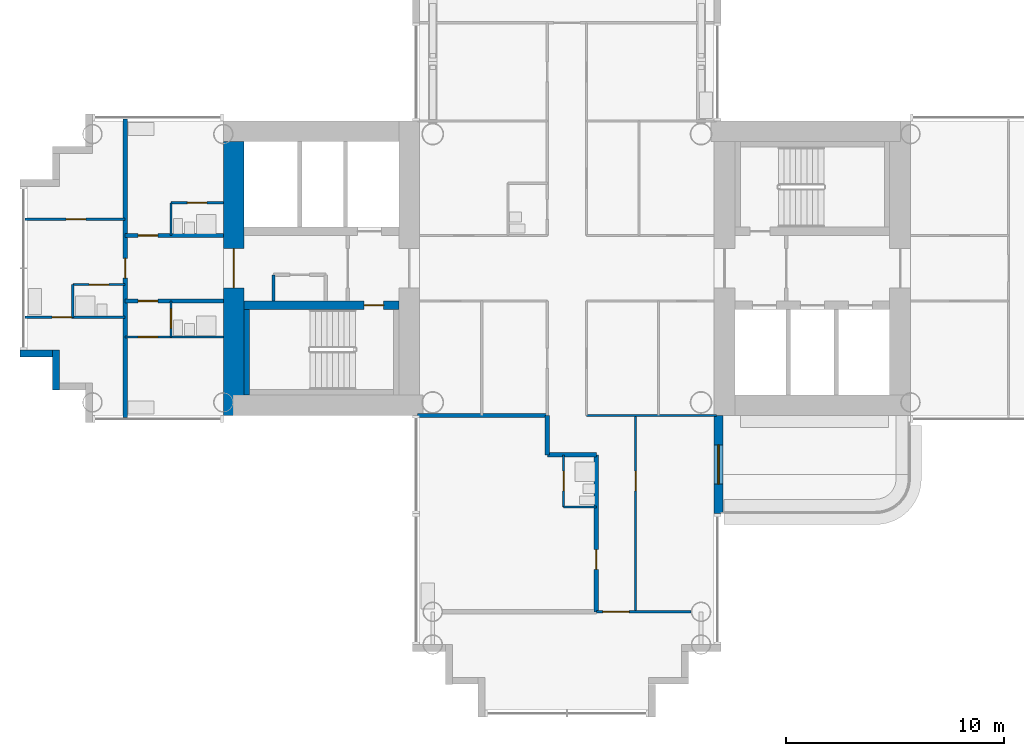
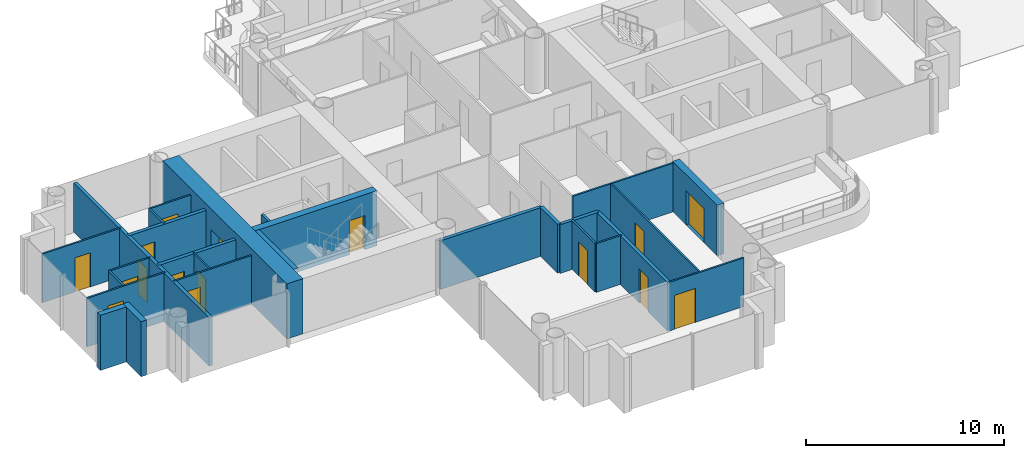
# One storey, part 10 of 22: 27 walls, 16 doors, 16 openings.
"""IFC4 building model written with IfcOpenShell, lengths in metres."""

from ifc_helpers import new_model, si_unit, direction, frame, frame_2d, origin, place, context, subcontext, project, spatial, rectangle, extrude, material, layer, layer_set, type_object, element, fill, save


model = new_model("IFC4")

# Units and contexts
model_context = context("Model", 3, precision=1e-05, world=origin(), true_north=direction((0.0, 1.0)))
body_context = subcontext(model_context, "Body", "Model", "MODEL_VIEW")
ifc_project = project(units=[si_unit("LENGTHUNIT", "METRE"), si_unit("AREAUNIT", "SQUARE_METRE"), si_unit("VOLUMEUNIT", "CUBIC_METRE"), si_unit("PLANEANGLEUNIT", "RADIAN"), si_unit("MASSUNIT", "GRAM", prefix="KILO")], contexts=[model_context])

# Site, building, storey
site_placement = place(None, origin())
site = spatial("IfcSite", under=ifc_project, at=site_placement, CompositionType="ELEMENT")
building_placement = place(site_placement, origin())
building = spatial("IfcBuilding", under=site, at=building_placement, Name="Ipe Terrace Towers", CompositionType="ELEMENT")
storey_placement = place(building_placement, frame((0.0, 0.0, 76.60009765625)))
storey = spatial("IfcBuildingStorey", under=building, at=storey_placement, Name="L20", CompositionType="ELEMENT", Elevation=76.60009765625)

# Wall, opening, door
ifc_material_1 = material(Name="Concrete C40/50 with buff precast cladding", Category="concrete")
ifc_layer_1 = layer(ifc_material_1, 0.39990234375)
ifc_layer_set_1 = layer_set([ifc_layer_1], Name="BALCONY BAY WALL 400")
wall_type_1 = type_object("IfcWallType", Name="BALCONY BAY WALL 400", PredefinedType="STANDARD", material=ifc_layer_set_1)
wall_1_placement = place(storey_placement, frame((-29.050048828125, -11.25, -0.02001953125), z_axis=(0.0, 0.0, 1.0), x_axis=(0.0, 1.0, 0.0)))
wall_1 = element("IfcWall", 1, at=wall_1_placement, inside=storey, type_object=wall_type_1, Name="T1-W-L20-18a wall", PredefinedType="STANDARD", context=body_context, shape_type="SweptSolid", body=[
    extrude(rectangle(XDim=4.5, YDim=0.39990234375, at=frame_2d((2.25, 0.0))), origin(), (0.0, 0.0, 1.0), 3.119873046875),
])
opening_1_placement = place(wall_1_placement, frame((1.35009765625, 0.0, 0.02001953125)))
opening_1 = element("IfcOpeningElement", 2, at=opening_1_placement, cuts=wall_1, Name="Opening T1-D-L20-18", PredefinedType="OPENING", context=body_context, shape_type="SweptSolid", body=[
    extrude(rectangle(XDim=1.800048828125, YDim=2.10009765625, at=frame_2d((0.89990234375, 1.050048828125))), frame((0.0, 0.2099609375, 0.0), z_axis=(0.0, -1.0, 0.0), x_axis=(1.0, 0.0, 0.0)), (0.0, 0.0, 1.0), 0.419921875),
])
ifc_material_2 = material(Name="Aluminium alloy 6063-T6 framed glazed door", Category="aluminium")
door_type_1 = type_object("IfcDoorType", Name="BALCONY DOOR 1800 x 2100 LEFT", OperationType="SINGLE_SWING_LEFT", PredefinedType="DOOR", material=ifc_material_2)
door_1_placement = place(opening_1_placement, origin())
door_1 = element("IfcDoor", 3, at=door_1_placement, inside=storey, type_object=door_type_1, Name="DB1 door", OperationType="SINGLE_SWING_LEFT", OverallHeight=2.10009765625, OverallWidth=1.800048828125, PredefinedType="DOOR", context=body_context, shape_type="SweptSolid", body=[
    extrude(rectangle(XDim=1.800048828125, YDim=2.10009765625, at=frame_2d((0.89990234375, 1.050048828125))), frame((0.0, 0.02490234375, 0.0), z_axis=(0.0, -1.0, 0.0), x_axis=(1.0, 0.0, 0.0)), (0.0, 0.0, 1.0), 0.050048828125),
])
fill(opening_1, door_1)

# Walls
ifc_material_3 = material(Name="Concrete C40/50 with buff precast cladding", Category="concrete")
ifc_layer_2 = layer(ifc_material_3, 0.320068359375)
ifc_layer_set_2 = layer_set([ifc_layer_2], Name="BUFF CLADDING WALL 320")
wall_type_2 = type_object("IfcWallType", Name="BUFF CLADDING WALL 320", PredefinedType="STANDARD", material=ifc_layer_set_2)
wall_2_placement = place(storey_placement, frame((-61.070068359375, -3.909912109375, -0.300048828125), z_axis=(0.0, 0.0, 1.0), x_axis=(1.0, 0.0, 0.0)))
element("IfcWall", 4, at=wall_2_placement, inside=storey, type_object=wall_type_2, Name="T1-W-L20-00a wall", PredefinedType="STANDARD", context=body_context, shape_type="SweptSolid", body=[
    extrude(rectangle(XDim=1.5, YDim=0.320068359375, at=frame_2d((0.75, 0.0))), origin(), (0.0, 0.0, 1.0), 3.39990234375),
])
wall_3_placement = place(storey_placement, frame((-59.409912109375, -3.75, -0.300048828125), z_axis=(0.0, 0.0, 1.0), x_axis=(0.0, -1.0, 0.0)))
element("IfcWall", 5, at=wall_3_placement, inside=storey, type_object=wall_type_2, Name="T1-W-L20-01a wall", PredefinedType="STANDARD", context=body_context, shape_type="SweptSolid", body=[
    extrude(rectangle(XDim=1.820068359375, YDim=0.320068359375, at=frame_2d((0.91015625, 0.0))), origin(), (0.0, 0.0, 1.0), 3.39990234375),
])
ifc_material_4 = material(Name="Gypsum board partition", Category="plasterboard")
ifc_layer_3 = layer(ifc_material_4, 0.10009765625)
ifc_layer_set_3 = layer_set([ifc_layer_3], Name="Gypsum board partition 100 mm")
wall_type_3 = type_object("IfcWallType", Name="Gypsum board partition 100 mm", PredefinedType="PARTITIONING", material=ifc_layer_set_3)
wall_4_placement = place(storey_placement, frame((-58.64990234375, -2.25, 0.0), z_axis=(0.0, 0.0, 1.0), x_axis=(0.0, 1.0, 0.0)))
element("IfcWall", 6, at=wall_4_placement, inside=storey, type_object=wall_type_3, Name="Gypsum board partition T1 L20 W01", PredefinedType="PARTITIONING", context=body_context, shape_type="SweptSolid", body=[
    extrude(rectangle(XDim=1.5, YDim=0.10009765625, at=frame_2d((0.75, 0.0))), origin(), (0.0, 0.0, 1.0), 3.0),
])

# Wall, opening, door
wall_5_placement = place(storey_placement, frame((-54.14990234375, -3.14990234375, 0.0), z_axis=(0.0, 0.0, 1.0), x_axis=(0.0, 1.0, 0.0)))
wall_5 = element("IfcWall", 7, at=wall_5_placement, inside=storey, type_object=wall_type_3, Name="Gypsum board partition T1 L20 W03", PredefinedType="PARTITIONING", context=body_context, shape_type="SweptSolid", body=[
    extrude(rectangle(XDim=1.64990234375, YDim=0.10009765625, at=frame_2d((0.824951171875, 0.0))), origin(), (0.0, 0.0, 1.0), 3.0),
])
opening_2_placement = place(wall_5_placement, frame((0.39990234375, 0.0, 0.0)))
opening_2 = element("IfcOpeningElement", 8, at=opening_2_placement, cuts=wall_5, Name="Opening T1-Z2B-21", PredefinedType="OPENING", context=body_context, shape_type="SweptSolid", body=[
    extrude(rectangle(XDim=0.89990234375, YDim=2.10009765625, at=frame_2d((0.449951171875, 1.050048828125))), frame((0.0, 0.06005859375, 0.0), z_axis=(0.0, -1.0, 0.0), x_axis=(1.0, 0.0, 0.0)), (0.0, 0.0, 1.0), 0.1201171875),
])
ifc_material_5 = material(Name="Timber door leaf", Category="wood")
door_type_2 = type_object("IfcDoorType", Name="Bathroom door 900 x 2100", OperationType="NOTDEFINED", PredefinedType="DOOR", material=ifc_material_5)
door_2_placement = place(opening_2_placement, origin())
door_2 = element("IfcDoor", 9, at=door_2_placement, inside=storey, type_object=door_type_2, Name="Bathroom door T1-Z2B-21", OperationType="SINGLE_SWING_RIGHT", OverallHeight=2.10009765625, OverallWidth=0.89990234375, PredefinedType="DOOR", context=body_context, shape_type="SweptSolid", body=[
    extrude(rectangle(XDim=0.89990234375, YDim=2.10009765625, at=frame_2d((0.449951171875, 1.050048828125))), frame((0.0, 0.02490234375, 0.0), z_axis=(0.0, -1.0, 0.0), x_axis=(1.0, 0.0, 0.0)), (0.0, 0.0, 1.0), 0.050048828125),
])
fill(opening_2, door_2)

# Wall
wall_6_placement = place(storey_placement, frame((-54.14990234375, 1.5, 0.0), z_axis=(0.0, 0.0, 1.0), x_axis=(0.0, 1.0, 0.0)))
element("IfcWall", 10, at=wall_6_placement, inside=storey, type_object=wall_type_3, Name="Gypsum board partition T1 L20 W04", PredefinedType="PARTITIONING", context=body_context, shape_type="SweptSolid", body=[
    extrude(rectangle(XDim=1.5, YDim=0.10009765625, at=frame_2d((0.75, 0.0))), origin(), (0.0, 0.0, 1.0), 3.0),
])

# Wall, opening, door
wall_7_placement = place(storey_placement, frame((-36.14990234375, -10.949951171875, 0.0), z_axis=(0.0, 0.0, 1.0), x_axis=(0.0, 1.0, 0.0)))
wall_7 = element("IfcWall", 11, at=wall_7_placement, inside=storey, type_object=wall_type_3, Name="Gypsum board partition T1 L20 W10", PredefinedType="PARTITIONING", context=body_context, shape_type="SweptSolid", body=[
    extrude(rectangle(XDim=2.39990234375, YDim=0.10009765625, at=frame_2d((1.199951171875, 0.0))), origin(), (0.0, 0.0, 1.0), 3.0),
])
opening_3_placement = place(wall_7_placement, frame((0.75, 0.0, 0.0)))
opening_3 = element("IfcOpeningElement", 12, at=opening_3_placement, cuts=wall_7, Name="Opening T1-Z2B-14", PredefinedType="OPENING", context=body_context, shape_type="SweptSolid", body=[
    extrude(rectangle(XDim=0.89990234375, YDim=2.10009765625, at=frame_2d((0.449951171875, 1.050048828125))), frame((0.0, 0.06005859375, 0.0), z_axis=(0.0, -1.0, 0.0), x_axis=(1.0, 0.0, 0.0)), (0.0, 0.0, 1.0), 0.1201171875),
])
door_3_placement = place(opening_3_placement, origin())
door_3 = element("IfcDoor", 13, at=door_3_placement, inside=storey, type_object=door_type_2, Name="Bathroom door T1-Z2B-14", OperationType="SINGLE_SWING_RIGHT", OverallHeight=2.10009765625, OverallWidth=0.89990234375, PredefinedType="DOOR", context=body_context, shape_type="SweptSolid", body=[
    extrude(rectangle(XDim=0.89990234375, YDim=2.10009765625, at=frame_2d((0.449951171875, 1.050048828125))), frame((0.0, 0.02490234375, 0.0), z_axis=(0.0, -1.0, 0.0), x_axis=(1.0, 0.0, 0.0)), (0.0, 0.0, 1.0), 0.050048828125),
])
fill(opening_3, door_3)

wall_8_placement = place(storey_placement, frame((-32.85009765625, -15.75, 0.0), z_axis=(0.0, 0.0, 1.0), x_axis=(0.0, 1.0, 0.0)))
wall_8 = element("IfcWall", 14, at=wall_8_placement, inside=storey, type_object=wall_type_3, Name="Gypsum board partition T1 L20 W14", PredefinedType="PARTITIONING", context=body_context, shape_type="SweptSolid", body=[
    extrude(rectangle(XDim=9.0, YDim=0.10009765625, at=frame_2d((4.5, 0.0))), origin(), (0.0, 0.0, 1.0), 3.0),
])
opening_4_placement = place(wall_8_placement, frame((5.550048828125, 0.0, 0.0)))
opening_4 = element("IfcOpeningElement", 15, at=opening_4_placement, cuts=wall_8, Name="Opening T1-Z2B-12", PredefinedType="OPENING", context=body_context, shape_type="SweptSolid", body=[
    extrude(rectangle(XDim=0.89990234375, YDim=2.10009765625, at=frame_2d((0.449951171875, 1.050048828125))), frame((0.0, 0.06005859375, 0.0), z_axis=(0.0, -1.0, 0.0), x_axis=(1.0, 0.0, 0.0)), (0.0, 0.0, 1.0), 0.1201171875),
])
ifc_material_6 = material(Name="Timber door leaf", Category="wood")
door_type_3 = type_object("IfcDoorType", Name="Lounge door 900 x 2100", OperationType="NOTDEFINED", PredefinedType="DOOR", material=ifc_material_6)
door_4_placement = place(opening_4_placement, origin())
door_4 = element("IfcDoor", 16, at=door_4_placement, inside=storey, type_object=door_type_3, Name="Lounge door T1-Z2B-12", OperationType="SINGLE_SWING_RIGHT", OverallHeight=2.10009765625, OverallWidth=0.89990234375, PredefinedType="DOOR", context=body_context, shape_type="SweptSolid", body=[
    extrude(rectangle(XDim=0.89990234375, YDim=2.10009765625, at=frame_2d((0.449951171875, 1.050048828125))), frame((0.0, 0.02490234375, 0.0), z_axis=(0.0, -1.0, 0.0), x_axis=(1.0, 0.0, 0.0)), (0.0, 0.0, 1.0), 0.050048828125),
])
fill(opening_4, door_4)

wall_9_placement = place(storey_placement, frame((-34.64990234375, -15.75, 0.0), z_axis=(0.0, 0.0, 1.0), x_axis=(1.0, 0.0, 0.0)))
wall_9 = element("IfcWall", 17, at=wall_9_placement, inside=storey, type_object=wall_type_3, Name="Gypsum board partition T1 L20 W18", PredefinedType="PARTITIONING", context=body_context, shape_type="SweptSolid", body=[
    extrude(rectangle(XDim=4.349853515625, YDim=0.10009765625, at=frame_2d((2.1748046875, 0.0))), origin(), (0.0, 0.0, 1.0), 3.0),
])
opening_5_placement = place(wall_9_placement, frame((0.300048828125, 0.0, 0.0)))
opening_5 = element("IfcOpeningElement", 18, at=opening_5_placement, cuts=wall_9, Name="Opening T1-Z2B-15", PredefinedType="OPENING", context=body_context, shape_type="SweptSolid", body=[
    extrude(rectangle(XDim=1.199951171875, YDim=2.10009765625, at=frame_2d((0.60009765625, 1.050048828125))), frame((0.0, 0.06005859375, 0.0), z_axis=(0.0, -1.0, 0.0), x_axis=(1.0, 0.0, 0.0)), (0.0, 0.0, 1.0), 0.1201171875),
])
ifc_material_7 = material(Name="Timber door leaf", Category="wood")
door_type_4 = type_object("IfcDoorType", Name="Lounge door 1200 x 2100", OperationType="NOTDEFINED", PredefinedType="DOOR", material=ifc_material_7)
door_5_placement = place(opening_5_placement, origin())
door_5 = element("IfcDoor", 19, at=door_5_placement, inside=storey, type_object=door_type_4, Name="Lounge door T1-Z2B-15", OperationType="SINGLE_SWING_LEFT", OverallHeight=2.10009765625, OverallWidth=1.199951171875, PredefinedType="DOOR", context=body_context, shape_type="SweptSolid", body=[
    extrude(rectangle(XDim=1.199951171875, YDim=2.10009765625, at=frame_2d((0.60009765625, 1.050048828125))), frame((0.0, 0.02490234375, 0.0), z_axis=(0.0, -1.0, 0.0), x_axis=(1.0, 0.0, 0.0)), (0.0, 0.0, 1.0), 0.050048828125),
])
fill(opening_5, door_5)

# Walls
wall_10_placement = place(storey_placement, frame((-36.14990234375, -10.949951171875, 0.0), z_axis=(0.0, 0.0, 1.0), x_axis=(1.0, 0.0, 0.0)))
element("IfcWall", 20, at=wall_10_placement, inside=storey, type_object=wall_type_3, Name="Gypsum board partition T1 L20 W20", PredefinedType="PARTITIONING", context=body_context, shape_type="SweptSolid", body=[
    extrude(rectangle(XDim=1.5, YDim=0.10009765625, at=frame_2d((0.75, 0.0))), origin(), (0.0, 0.0, 1.0), 3.0),
])
wall_11_placement = place(storey_placement, frame((-35.10009765625, -6.75, 0.0), z_axis=(0.0, 0.0, 1.0), x_axis=(1.0, 0.0, 0.0)))
element("IfcWall", 21, at=wall_11_placement, inside=storey, type_object=wall_type_3, Name="Gypsum board partition T1 L20 W22", PredefinedType="PARTITIONING", context=body_context, shape_type="SweptSolid", body=[
    extrude(rectangle(XDim=5.9501953125, YDim=0.10009765625, at=frame_2d((2.97509765625, 0.0))), origin(), (0.0, 0.0, 1.0), 3.0),
])

# Wall, opening, door
wall_12_placement = place(storey_placement, frame((-56.25, -3.14990234375, 0.0), z_axis=(0.0, 0.0, 1.0), x_axis=(1.0, 0.0, 0.0)))
wall_12 = element("IfcWall", 22, at=wall_12_placement, inside=storey, type_object=wall_type_3, Name="Gypsum board partition T1 L20 W24", PredefinedType="PARTITIONING", context=body_context, shape_type="SweptSolid", body=[
    extrude(rectangle(XDim=4.5, YDim=0.10009765625, at=frame_2d((2.25, 0.0))), origin(), (0.0, 0.0, 1.0), 3.0),
])
opening_6_placement = place(wall_12_placement, frame((0.60009765625, 0.0, 0.0)))
opening_6 = element("IfcOpeningElement", 23, at=opening_6_placement, cuts=wall_12, Name="Opening T1-Z2B-20", PredefinedType="OPENING", context=body_context, shape_type="SweptSolid", body=[
    extrude(rectangle(XDim=0.89990234375, YDim=2.10009765625, at=frame_2d((0.449951171875, 1.050048828125))), frame((0.0, 0.06005859375, 0.0), z_axis=(0.0, -1.0, 0.0), x_axis=(1.0, 0.0, 0.0)), (0.0, 0.0, 1.0), 0.1201171875),
])
ifc_material_8 = material(Name="Timber door leaf", Category="wood")
door_type_5 = type_object("IfcDoorType", Name="Bedroom door 900 x 2100", OperationType="NOTDEFINED", PredefinedType="DOOR", material=ifc_material_8)
door_6_placement = place(opening_6_placement, origin())
door_6 = element("IfcDoor", 24, at=door_6_placement, inside=storey, type_object=door_type_5, Name="Bedroom door T1-Z2B-20", OperationType="SINGLE_SWING_LEFT", OverallHeight=2.10009765625, OverallWidth=0.89990234375, PredefinedType="DOOR", context=body_context, shape_type="SweptSolid", body=[
    extrude(rectangle(XDim=0.89990234375, YDim=2.10009765625, at=frame_2d((0.449951171875, 1.050048828125))), frame((0.0, 0.02490234375, 0.0), z_axis=(0.0, -1.0, 0.0), x_axis=(1.0, 0.0, 0.0)), (0.0, 0.0, 1.0), 0.050048828125),
])
fill(opening_6, door_6)

wall_13_placement = place(storey_placement, frame((-60.85009765625, -2.25, 0.0), z_axis=(0.0, 0.0, 1.0), x_axis=(1.0, 0.0, 0.0)))
wall_13 = element("IfcWall", 25, at=wall_13_placement, inside=storey, type_object=wall_type_3, Name="Gypsum board partition T1 L20 W25", PredefinedType="PARTITIONING", context=body_context, shape_type="SweptSolid", body=[
    extrude(rectangle(XDim=4.60009765625, YDim=0.10009765625, at=frame_2d((2.300048828125, 0.0))), origin(), (0.0, 0.0, 1.0), 3.0),
])
opening_7_placement = place(wall_13_placement, frame((1.25, 0.0, 0.0)))
opening_7 = element("IfcOpeningElement", 26, at=opening_7_placement, cuts=wall_13, Name="Opening T1-Z2B-26", PredefinedType="OPENING", context=body_context, shape_type="SweptSolid", body=[
    extrude(rectangle(XDim=0.89990234375, YDim=2.10009765625, at=frame_2d((0.449951171875, 1.050048828125))), frame((0.0, 0.06005859375, 0.0), z_axis=(0.0, -1.0, 0.0), x_axis=(1.0, 0.0, 0.0)), (0.0, 0.0, 1.0), 0.1201171875),
])
door_7_placement = place(opening_7_placement, origin())
door_7 = element("IfcDoor", 27, at=door_7_placement, inside=storey, type_object=door_type_3, Name="Lounge door T1-Z2B-26", OperationType="SINGLE_SWING_LEFT", OverallHeight=2.10009765625, OverallWidth=0.89990234375, PredefinedType="DOOR", context=body_context, shape_type="SweptSolid", body=[
    extrude(rectangle(XDim=0.89990234375, YDim=2.10009765625, at=frame_2d((0.449951171875, 1.050048828125))), frame((0.0, 0.02490234375, 0.0), z_axis=(0.0, -1.0, 0.0), x_axis=(1.0, 0.0, 0.0)), (0.0, 0.0, 1.0), 0.050048828125),
])
fill(opening_7, door_7)

wall_14_placement = place(storey_placement, frame((-58.64990234375, -0.75, 0.0), z_axis=(0.0, 0.0, 1.0), x_axis=(1.0, 0.0, 0.0)))
wall_14 = element("IfcWall", 28, at=wall_14_placement, inside=storey, type_object=wall_type_3, Name="Gypsum board partition T1 L20 W30", PredefinedType="PARTITIONING", context=body_context, shape_type="SweptSolid", body=[
    extrude(rectangle(XDim=2.39990234375, YDim=0.10009765625, at=frame_2d((1.199951171875, 0.0))), origin(), (0.0, 0.0, 1.0), 3.0),
])
opening_8_placement = place(wall_14_placement, frame((0.75, 0.0, 0.0)))
opening_8 = element("IfcOpeningElement", 29, at=opening_8_placement, cuts=wall_14, Name="Opening T1-Z2B-24", PredefinedType="OPENING", context=body_context, shape_type="SweptSolid", body=[
    extrude(rectangle(XDim=0.89990234375, YDim=2.10009765625, at=frame_2d((0.449951171875, 1.050048828125))), frame((0.0, 0.06005859375, 0.0), z_axis=(0.0, -1.0, 0.0), x_axis=(1.0, 0.0, 0.0)), (0.0, 0.0, 1.0), 0.1201171875),
])
door_8_placement = place(opening_8_placement, origin())
door_8 = element("IfcDoor", 30, at=door_8_placement, inside=storey, type_object=door_type_2, Name="Bathroom door T1-Z2B-24", OperationType="SINGLE_SWING_RIGHT", OverallHeight=2.10009765625, OverallWidth=0.89990234375, PredefinedType="DOOR", context=body_context, shape_type="SweptSolid", body=[
    extrude(rectangle(XDim=0.89990234375, YDim=2.10009765625, at=frame_2d((0.449951171875, 1.050048828125))), frame((0.0, 0.02490234375, 0.0), z_axis=(0.0, -1.0, 0.0), x_axis=(1.0, 0.0, 0.0)), (0.0, 0.0, 1.0), 0.050048828125),
])
fill(opening_8, door_8)

wall_15_placement = place(storey_placement, frame((-60.85009765625, 2.25, 0.0), z_axis=(0.0, 0.0, 1.0), x_axis=(1.0, 0.0, 0.0)))
wall_15 = element("IfcWall", 31, at=wall_15_placement, inside=storey, type_object=wall_type_3, Name="Gypsum board partition T1 L20 W35", PredefinedType="PARTITIONING", context=body_context, shape_type="SweptSolid", body=[
    extrude(rectangle(XDim=4.60009765625, YDim=0.10009765625, at=frame_2d((2.300048828125, 0.0))), origin(), (0.0, 0.0, 1.0), 3.0),
])
opening_9_placement = place(wall_15_placement, frame((1.89990234375, 0.0, 0.0)))
opening_9 = element("IfcOpeningElement", 32, at=opening_9_placement, cuts=wall_15, Name="Opening T1-Z2B-27", PredefinedType="OPENING", context=body_context, shape_type="SweptSolid", body=[
    extrude(rectangle(XDim=0.89990234375, YDim=2.10009765625, at=frame_2d((0.449951171875, 1.050048828125))), frame((0.0, 0.06005859375, 0.0), z_axis=(0.0, -1.0, 0.0), x_axis=(1.0, 0.0, 0.0)), (0.0, 0.0, 1.0), 0.1201171875),
])
door_9_placement = place(opening_9_placement, origin())
door_9 = element("IfcDoor", 33, at=door_9_placement, inside=storey, type_object=door_type_3, Name="Lounge door T1-Z2B-27", OperationType="SINGLE_SWING_LEFT", OverallHeight=2.10009765625, OverallWidth=0.89990234375, PredefinedType="DOOR", context=body_context, shape_type="SweptSolid", body=[
    extrude(rectangle(XDim=0.89990234375, YDim=2.10009765625, at=frame_2d((0.449951171875, 1.050048828125))), frame((0.0, 0.02490234375, 0.0), z_axis=(0.0, -1.0, 0.0), x_axis=(1.0, 0.0, 0.0)), (0.0, 0.0, 1.0), 0.050048828125),
])
fill(opening_9, door_9)

wall_16_placement = place(storey_placement, frame((-54.14990234375, 3.0, 0.0), z_axis=(0.0, 0.0, 1.0), x_axis=(1.0, 0.0, 0.0)))
wall_16 = element("IfcWall", 34, at=wall_16_placement, inside=storey, type_object=wall_type_3, Name="Gypsum board partition T1 L20 W36", PredefinedType="PARTITIONING", context=body_context, shape_type="SweptSolid", body=[
    extrude(rectangle(XDim=2.39990234375, YDim=0.10009765625, at=frame_2d((1.199951171875, 0.0))), origin(), (0.0, 0.0, 1.0), 3.0),
])
opening_10_placement = place(wall_16_placement, frame((0.75, 0.0, 0.0)))
opening_10 = element("IfcOpeningElement", 35, at=opening_10_placement, cuts=wall_16, Name="Opening T1-Z2B-23", PredefinedType="OPENING", context=body_context, shape_type="SweptSolid", body=[
    extrude(rectangle(XDim=0.89990234375, YDim=2.10009765625, at=frame_2d((0.449951171875, 1.050048828125))), frame((0.0, 0.06005859375, 0.0), z_axis=(0.0, -1.0, 0.0), x_axis=(1.0, 0.0, 0.0)), (0.0, 0.0, 1.0), 0.1201171875),
])
door_10_placement = place(opening_10_placement, origin())
door_10 = element("IfcDoor", 36, at=door_10_placement, inside=storey, type_object=door_type_2, Name="Bathroom door T1-Z2B-23", OperationType="SINGLE_SWING_RIGHT", OverallHeight=2.10009765625, OverallWidth=0.89990234375, PredefinedType="DOOR", context=body_context, shape_type="SweptSolid", body=[
    extrude(rectangle(XDim=0.89990234375, YDim=2.10009765625, at=frame_2d((0.449951171875, 1.050048828125))), frame((0.0, 0.02490234375, 0.0), z_axis=(0.0, -1.0, 0.0), x_axis=(1.0, 0.0, 0.0)), (0.0, 0.0, 1.0), 0.050048828125),
])
fill(opening_10, door_10)

# Wall
ifc_material_9 = material(Name="Gypsum board partition", Category="plasterboard")
ifc_layer_4 = layer(ifc_material_9, 0.14990234375)
ifc_layer_set_4 = layer_set([ifc_layer_4], Name="Gypsum board partition 150 mm")
wall_type_4 = type_object("IfcWallType", Name="Gypsum board partition 150 mm", PredefinedType="PARTITIONING", material=ifc_layer_set_4)
wall_17_placement = place(storey_placement, frame((-49.449951171875, -0.300048828125, 0.0), z_axis=(0.0, 0.0, 1.0), x_axis=(0.0, -1.0, 0.0)))
element("IfcWall", 37, at=wall_17_placement, inside=storey, type_object=wall_type_4, Name="Gypsum board partition T1 L20 t1c2-cup-n-b", PredefinedType="PARTITIONING", context=body_context, shape_type="SweptSolid", body=[
    extrude(rectangle(XDim=1.199951171875, YDim=0.14990234375, at=frame_2d((0.60009765625, 0.0))), origin(), (0.0, 0.0, 1.0), 3.0),
])

# Wall, opening, door
ifc_material_10 = material(Name="Gypsum board party wall", Category="plasterboard")
ifc_layer_5 = layer(ifc_material_10, 0.199951171875)
ifc_layer_set_5 = layer_set([ifc_layer_5], Name="Gypsum board party wall 200 mm")
wall_type_5 = type_object("IfcWallType", Name="Gypsum board party wall 200 mm", PredefinedType="SOLIDWALL", material=ifc_layer_set_5)
wall_18_placement = place(storey_placement, frame((-56.25, -6.85009765625, 0.0), z_axis=(0.0, 0.0, 1.0), x_axis=(0.0, 1.0, 0.0)))
wall_18 = element("IfcWall", 38, at=wall_18_placement, inside=storey, type_object=wall_type_5, Name="Gypsum board party wall T1 L20 W02", PredefinedType="SOLIDWALL", context=body_context, shape_type="SweptSolid", body=[
    extrude(rectangle(XDim=13.7001953125, YDim=0.199951171875, at=frame_2d((6.85009765625, 0.0))), origin(), (0.0, 0.0, 1.0), 3.0),
])
opening_11_placement = place(wall_18_placement, frame((6.39990234375, 0.0, 0.0)))
opening_11 = element("IfcOpeningElement", 39, at=opening_11_placement, cuts=wall_18, Name="Opening T1-Z2B-25", PredefinedType="OPENING", context=body_context, shape_type="SweptSolid", body=[
    extrude(rectangle(XDim=0.89990234375, YDim=2.10009765625, at=frame_2d((0.449951171875, 1.050048828125))), frame((0.0, 0.10986328125, 0.0), z_axis=(0.0, -1.0, 0.0), x_axis=(1.0, 0.0, 0.0)), (0.0, 0.0, 1.0), 0.219970703125),
])
ifc_material_11 = material(Name="Fire-rated timber door leaf", Category="wood")
door_type_6 = type_object("IfcDoorType", Name="Flat entrance door 900 x 2100 FD30S", OperationType="NOTDEFINED", PredefinedType="DOOR", material=ifc_material_11)
door_11_placement = place(opening_11_placement, origin())
door_11 = element("IfcDoor", 40, at=door_11_placement, inside=storey, type_object=door_type_6, Name="Flat entrance door T1-Z2B-25", OperationType="SINGLE_SWING_LEFT", OverallHeight=2.10009765625, OverallWidth=0.89990234375, PredefinedType="DOOR", context=body_context, shape_type="SweptSolid", body=[
    extrude(rectangle(XDim=0.89990234375, YDim=2.10009765625, at=frame_2d((0.449951171875, 1.050048828125))), frame((0.0, 0.02490234375, 0.0), z_axis=(0.0, -1.0, 0.0), x_axis=(1.0, 0.0, 0.0)), (0.0, 0.0, 1.0), 0.050048828125),
])
fill(opening_11, door_11)

# Wall
wall_19_placement = place(storey_placement, frame((-36.89990234375, -8.550048828125, 0.0), z_axis=(0.0, 0.0, 1.0), x_axis=(0.0, 1.0, 0.0)))
element("IfcWall", 41, at=wall_19_placement, inside=storey, type_object=wall_type_5, Name="Gypsum board party wall T1 L20 W09", PredefinedType="SOLIDWALL", context=body_context, shape_type="SweptSolid", body=[
    extrude(rectangle(XDim=1.800048828125, YDim=0.199951171875, at=frame_2d((0.89990234375, 0.0))), origin(), (0.0, 0.0, 1.0), 3.0),
])

# Wall, opening, door
wall_20_placement = place(storey_placement, frame((-34.64990234375, -15.75, 0.0), z_axis=(0.0, 0.0, 1.0), x_axis=(0.0, 1.0, 0.0)))
wall_20 = element("IfcWall", 42, at=wall_20_placement, inside=storey, type_object=wall_type_5, Name="Gypsum board party wall T1 L20 W13", PredefinedType="SOLIDWALL", context=body_context, shape_type="SweptSolid", body=[
    extrude(rectangle(XDim=7.199951171875, YDim=0.199951171875, at=frame_2d((3.60009765625, 0.0))), origin(), (0.0, 0.0, 1.0), 3.0),
])
opening_12_placement = place(wall_20_placement, frame((1.949951171875, 0.0, 0.0)))
opening_12 = element("IfcOpeningElement", 43, at=opening_12_placement, cuts=wall_20, Name="Opening T1-Z2B-13", PredefinedType="OPENING", context=body_context, shape_type="SweptSolid", body=[
    extrude(rectangle(XDim=0.89990234375, YDim=2.10009765625, at=frame_2d((0.449951171875, 1.050048828125))), frame((0.0, 0.10986328125, 0.0), z_axis=(0.0, -1.0, 0.0), x_axis=(1.0, 0.0, 0.0)), (0.0, 0.0, 1.0), 0.219970703125),
])
door_12_placement = place(opening_12_placement, origin())
door_12 = element("IfcDoor", 44, at=door_12_placement, inside=storey, type_object=door_type_6, Name="Flat entrance door T1-Z2B-13", OperationType="SINGLE_SWING_RIGHT", OverallHeight=2.10009765625, OverallWidth=0.89990234375, PredefinedType="DOOR", context=body_context, shape_type="SweptSolid", body=[
    extrude(rectangle(XDim=0.89990234375, YDim=2.10009765625, at=frame_2d((0.449951171875, 1.050048828125))), frame((0.0, 0.02490234375, 0.0), z_axis=(0.0, -1.0, 0.0), x_axis=(1.0, 0.0, 0.0)), (0.0, 0.0, 1.0), 0.050048828125),
])
fill(opening_12, door_12)

# Walls
wall_21_placement = place(storey_placement, frame((-36.89990234375, -8.550048828125, 0.0), z_axis=(0.0, 0.0, 1.0), x_axis=(1.0, 0.0, 0.0)))
element("IfcWall", 45, at=wall_21_placement, inside=storey, type_object=wall_type_5, Name="Gypsum board party wall T1 L20 W21", PredefinedType="SOLIDWALL", context=body_context, shape_type="SweptSolid", body=[
    extrude(rectangle(XDim=2.25, YDim=0.199951171875, at=frame_2d((1.125, 0.0))), origin(), (0.0, 0.0, 1.0), 3.0),
])
wall_22_placement = place(storey_placement, frame((-42.85009765625, -6.75, 0.0), z_axis=(0.0, 0.0, 1.0), x_axis=(1.0, 0.0, 0.0)))
element("IfcWall", 46, at=wall_22_placement, inside=storey, type_object=wall_type_5, Name="Gypsum board party wall T1 L20 W23", PredefinedType="SOLIDWALL", context=body_context, shape_type="SweptSolid", body=[
    extrude(rectangle(XDim=5.9501953125, YDim=0.199951171875, at=frame_2d((2.97509765625, 0.0))), origin(), (0.0, 0.0, 1.0), 3.0),
])

# Wall, opening, door
wall_23_placement = place(storey_placement, frame((-56.25, -1.5, 0.0), z_axis=(0.0, 0.0, 1.0), x_axis=(1.0, 0.0, 0.0)))
wall_23 = element("IfcWall", 47, at=wall_23_placement, inside=storey, type_object=wall_type_5, Name="Gypsum board party wall T1 L20 W29", PredefinedType="SOLIDWALL", context=body_context, shape_type="SweptSolid", body=[
    extrude(rectangle(XDim=4.5, YDim=0.199951171875, at=frame_2d((2.25, 0.0))), origin(), (0.0, 0.0, 1.0), 3.0),
])
opening_13_placement = place(wall_23_placement, frame((0.60009765625, 0.0, 0.0)))
opening_13 = element("IfcOpeningElement", 48, at=opening_13_placement, cuts=wall_23, Name="Opening T1-Z2B-19", PredefinedType="OPENING", context=body_context, shape_type="SweptSolid", body=[
    extrude(rectangle(XDim=0.89990234375, YDim=2.10009765625, at=frame_2d((0.449951171875, 1.050048828125))), frame((0.0, 0.10986328125, 0.0), z_axis=(0.0, -1.0, 0.0), x_axis=(1.0, 0.0, 0.0)), (0.0, 0.0, 1.0), 0.219970703125),
])
door_13_placement = place(opening_13_placement, origin())
door_13 = element("IfcDoor", 49, at=door_13_placement, inside=storey, type_object=door_type_6, Name="Flat entrance door T1-Z2B-19", OperationType="SINGLE_SWING_LEFT", OverallHeight=2.10009765625, OverallWidth=0.89990234375, PredefinedType="DOOR", context=body_context, shape_type="SweptSolid", body=[
    extrude(rectangle(XDim=0.89990234375, YDim=2.10009765625, at=frame_2d((0.449951171875, 1.050048828125))), frame((0.0, 0.02490234375, 0.0), z_axis=(0.0, -1.0, 0.0), x_axis=(1.0, 0.0, 0.0)), (0.0, 0.0, 1.0), 0.050048828125),
])
fill(opening_13, door_13)

wall_24_placement = place(storey_placement, frame((-56.25, 1.5, 0.0), z_axis=(0.0, 0.0, 1.0), x_axis=(1.0, 0.0, 0.0)))
wall_24 = element("IfcWall", 50, at=wall_24_placement, inside=storey, type_object=wall_type_5, Name="Gypsum board party wall T1 L20 W34", PredefinedType="SOLIDWALL", context=body_context, shape_type="SweptSolid", body=[
    extrude(rectangle(XDim=4.5, YDim=0.199951171875, at=frame_2d((2.25, 0.0))), origin(), (0.0, 0.0, 1.0), 3.0),
])
opening_14_placement = place(wall_24_placement, frame((0.60009765625, 0.0, 0.0)))
opening_14 = element("IfcOpeningElement", 51, at=opening_14_placement, cuts=wall_24, Name="Opening T1-Z2B-22", PredefinedType="OPENING", context=body_context, shape_type="SweptSolid", body=[
    extrude(rectangle(XDim=0.89990234375, YDim=2.10009765625, at=frame_2d((0.449951171875, 1.050048828125))), frame((0.0, 0.10986328125, 0.0), z_axis=(0.0, -1.0, 0.0), x_axis=(1.0, 0.0, 0.0)), (0.0, 0.0, 1.0), 0.219970703125),
])
door_14_placement = place(opening_14_placement, origin())
door_14 = element("IfcDoor", 52, at=door_14_placement, inside=storey, type_object=door_type_6, Name="Flat entrance door T1-Z2B-22", OperationType="SINGLE_SWING_RIGHT", OverallHeight=2.10009765625, OverallWidth=0.89990234375, PredefinedType="DOOR", context=body_context, shape_type="SweptSolid", body=[
    extrude(rectangle(XDim=0.89990234375, YDim=2.10009765625, at=frame_2d((0.449951171875, 1.050048828125))), frame((0.0, 0.02490234375, 0.0), z_axis=(0.0, -1.0, 0.0), x_axis=(1.0, 0.0, 0.0)), (0.0, 0.0, 1.0), 0.050048828125),
])
fill(opening_14, door_14)

# Wall
ifc_material_12 = material(Name="Concrete C50/60", Category="concrete")
ifc_layer_6 = layer(ifc_material_12, 0.25)
ifc_layer_set_6 = layer_set([ifc_layer_6], Name="RW250 CORE INFILL WALL 250 C50-60")
wall_type_6 = type_object("IfcWallType", Name="RW250 CORE INFILL WALL 250 C50-60", PredefinedType="SHEAR", material=ifc_layer_set_6)
wall_25_placement = place(storey_placement, frame((-50.675048828125, -1.89990234375, 0.0), z_axis=(0.0, 0.0, 1.0), x_axis=(0.0, -1.0, 0.0)))
element("IfcWall", 53, at=wall_25_placement, inside=storey, type_object=wall_type_6, Name="Core infill wall T1-C2-far", PredefinedType="SHEAR", context=body_context, shape_type="SweptSolid", body=[
    extrude(rectangle(XDim=3.900146484375, YDim=0.25, at=frame_2d((1.9501953125, 0.0))), origin(), (0.0, 0.0, 1.0), 3.39990234375),
])

# Wall, opening, door
ifc_material_13 = material(Name="Concrete C50/60", Category="concrete")
ifc_layer_7 = layer(ifc_material_13, 0.39990234375)
ifc_layer_set_7 = layer_set([ifc_layer_7], Name="RW400 CORE SPINE WALL 400 C50-60")
wall_type_7 = type_object("IfcWallType", Name="RW400 CORE SPINE WALL 400 C50-60", PredefinedType="SHEAR", material=ifc_layer_set_7)
wall_26_placement = place(storey_placement, frame((-50.800048828125, -1.699951171875, 0.0), z_axis=(0.0, 0.0, 1.0), x_axis=(1.0, 0.0, 0.0)))
wall_26 = element("IfcWall", 54, at=wall_26_placement, inside=storey, type_object=wall_type_7, Name="Core spine wall T1-C2-Z2-SW1", PredefinedType="SHEAR", context=body_context, shape_type="SweptSolid", body=[
    extrude(rectangle(XDim=7.10009765625, YDim=0.39990234375, at=frame_2d((3.550048828125, 0.0))), origin(), (0.0, 0.0, 1.0), 3.39990234375),
])
opening_15_placement = place(wall_26_placement, frame((5.5, 0.0, 0.0)))
opening_15 = element("IfcOpeningElement", 55, at=opening_15_placement, cuts=wall_26, Name="Opening T1C2-SD", PredefinedType="OPENING", context=body_context, shape_type="SweptSolid", body=[
    extrude(rectangle(XDim=0.89990234375, YDim=2.10009765625, at=frame_2d((0.449951171875, 1.050048828125))), frame((0.0, 0.2099609375, 0.0), z_axis=(0.0, -1.0, 0.0), x_axis=(1.0, 0.0, 0.0)), (0.0, 0.0, 1.0), 0.419921875),
])
ifc_material_14 = material(Name="Fire-rated timber door leaf", Category="wood")
door_type_7 = type_object("IfcDoorType", Name="Stair door 900 x 2100 FD60", OperationType="NOTDEFINED", PredefinedType="DOOR", material=ifc_material_14)
door_15_placement = place(opening_15_placement, origin())
door_15 = element("IfcDoor", 56, at=door_15_placement, inside=storey, type_object=door_type_7, Name="Stair door T1C2-SD", OperationType="SINGLE_SWING_RIGHT", OverallHeight=2.10009765625, OverallWidth=0.89990234375, PredefinedType="DOOR", context=body_context, shape_type="SweptSolid", body=[
    extrude(rectangle(XDim=0.89990234375, YDim=2.10009765625, at=frame_2d((0.449951171875, 1.050048828125))), frame((0.0, 0.02490234375, 0.0), z_axis=(0.0, -1.0, 0.0), x_axis=(1.0, 0.0, 0.0)), (0.0, 0.0, 1.0), 0.050048828125),
])
fill(opening_15, door_15)

ifc_material_15 = material(Name="Concrete C50/60", Category="concrete")
ifc_layer_8 = layer(ifc_material_15, 0.949951171875)
ifc_layer_set_8 = layer_set([ifc_layer_8], Name="RW950 CORE WALL 950 C50-60")
wall_type_8 = type_object("IfcWallType", Name="RW950 CORE WALL 950 C50-60", PredefinedType="SHEAR", material=ifc_layer_set_8)
wall_27_placement = place(storey_placement, frame((-51.27490234375, 5.800048828125, 0.0), z_axis=(0.0, 0.0, 1.0), x_axis=(0.0, -1.0, 0.0)))
wall_27 = element("IfcWall", 57, at=wall_27_placement, inside=storey, type_object=wall_type_8, Name="Core wall T1-C2-Z2-W04", PredefinedType="SHEAR", context=body_context, shape_type="SweptSolid", body=[
    extrude(rectangle(XDim=12.550048828125, YDim=0.949951171875, at=frame_2d((6.27490234375, 0.0))), origin(), (0.0, 0.0, 1.0), 3.39990234375),
])
opening_16_placement = place(wall_27_placement, frame((4.89990234375, 0.0, 0.0)))
opening_16 = element("IfcOpeningElement", 58, at=opening_16_placement, cuts=wall_27, Name="Opening T1C2-FD", PredefinedType="OPENING", context=body_context, shape_type="SweptSolid", body=[
    extrude(rectangle(XDim=1.800048828125, YDim=2.10009765625, at=frame_2d((0.89990234375, 1.050048828125))), frame((0.0, 0.48486328125, 0.0), z_axis=(0.0, -1.0, 0.0), x_axis=(1.0, 0.0, 0.0)), (0.0, 0.0, 1.0), 0.969970703125),
])
ifc_material_16 = material(Name="Fire-rated timber door leaf", Category="wood")
door_type_8 = type_object("IfcDoorType", Name="Fire door 1800 x 2100 FD30S", OperationType="NOTDEFINED", PredefinedType="DOOR", material=ifc_material_16)
door_16_placement = place(opening_16_placement, origin())
door_16 = element("IfcDoor", 59, at=door_16_placement, inside=storey, type_object=door_type_8, Name="Fire door T1C2-FD", OperationType="SINGLE_SWING_LEFT", OverallHeight=2.10009765625, OverallWidth=1.800048828125, PredefinedType="DOOR", context=body_context, shape_type="SweptSolid", body=[
    extrude(rectangle(XDim=1.800048828125, YDim=2.10009765625, at=frame_2d((0.89990234375, 1.050048828125))), frame((0.0, 0.02490234375, 0.0), z_axis=(0.0, -1.0, 0.0), x_axis=(1.0, 0.0, 0.0)), (0.0, 0.0, 1.0), 0.050048828125),
])
fill(opening_16, door_16)

save(model, "model.ifc")
